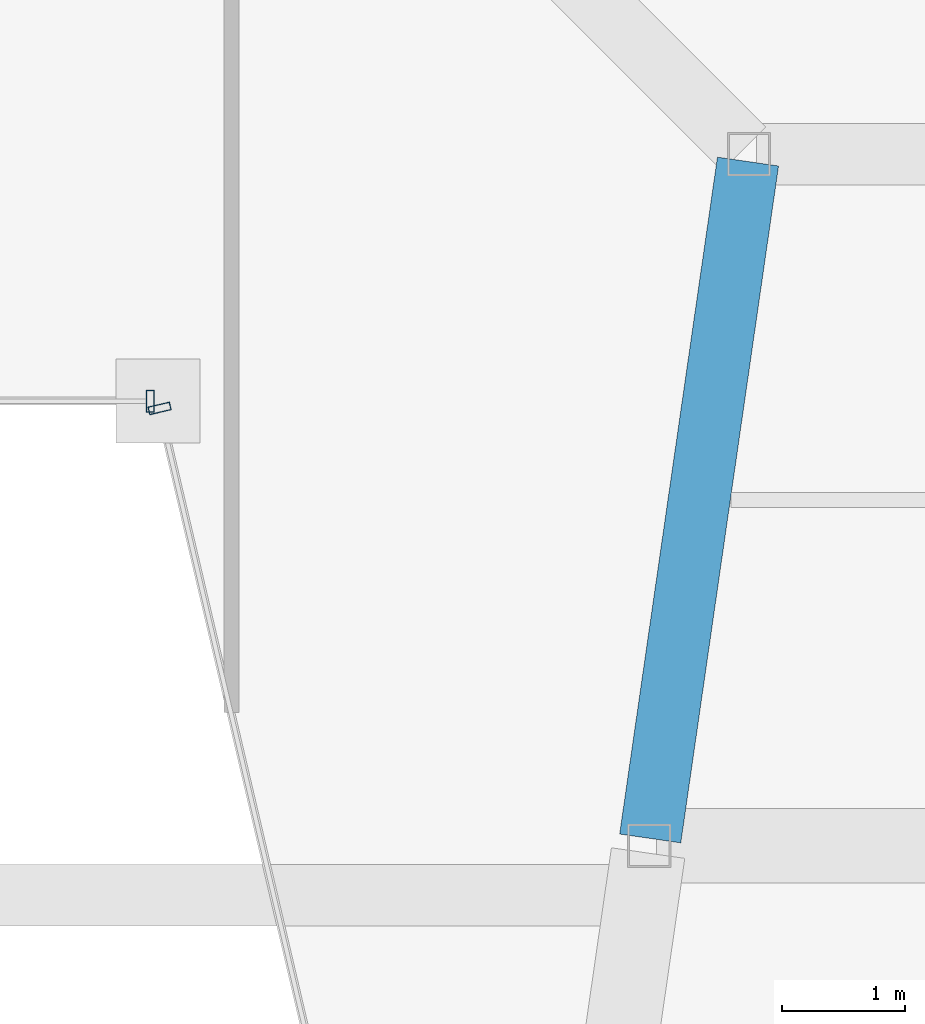
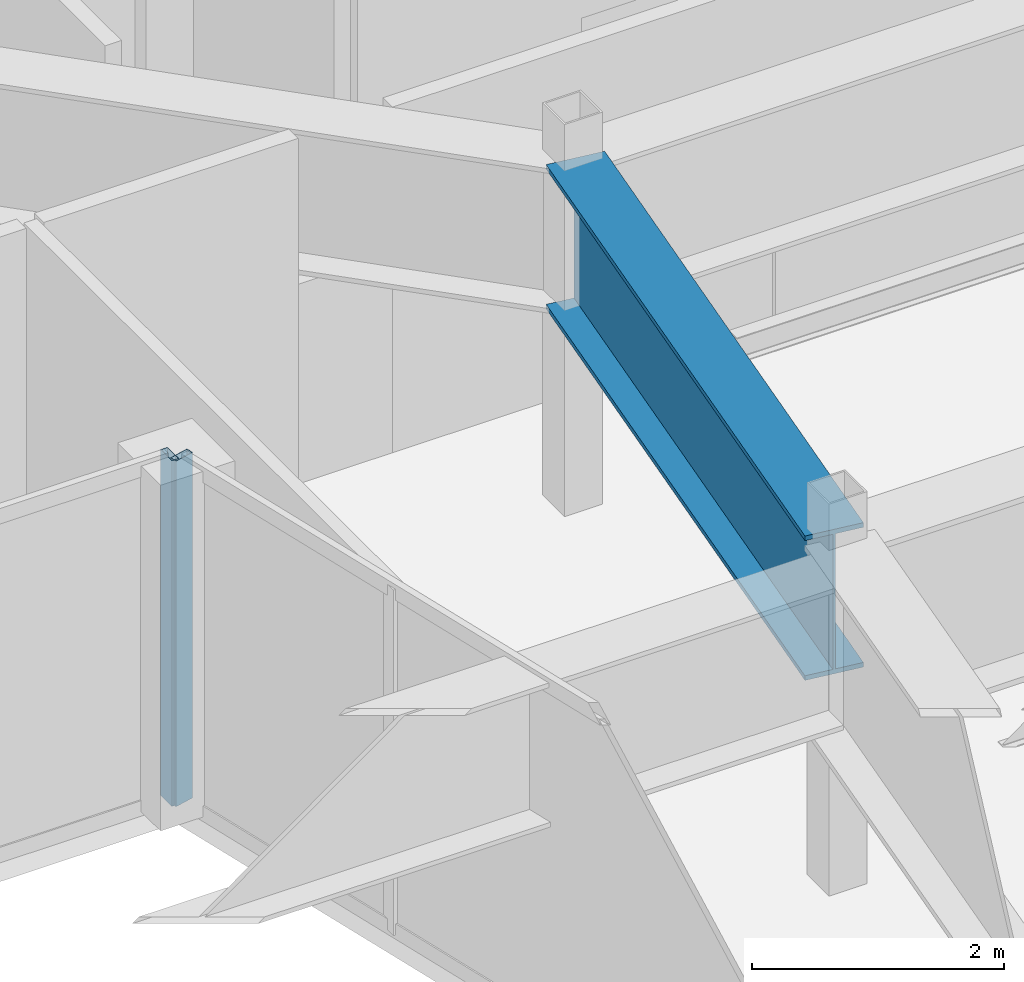
# One storey, part 13 of 30: 2 members, 1 beam, 2 elements without a shape of their own.
"""IFC4 building model written with IfcOpenShell, lengths in metres."""

from ifc_helpers import new_model, si_unit, direction, frame, origin, origin_2d, place, context, subcontext, project, spatial, hollow_rectangle, i_section, extrude, material, material_profile, profile_set, type_object, element, aggregate, save


model = new_model("IFC4")

# Units and contexts
model_context = context("Model", 3, precision=1e-05, world=origin(), true_north=direction((0.0, 1.0)))
body_context = subcontext(model_context, "Body", "Model", "MODEL_VIEW")
ifc_project = project(units=[si_unit("LENGTHUNIT", "METRE"), si_unit("AREAUNIT", "SQUARE_METRE"), si_unit("VOLUMEUNIT", "CUBIC_METRE"), si_unit("PLANEANGLEUNIT", "RADIAN"), si_unit("MASSUNIT", "GRAM", prefix="KILO")], contexts=[model_context])

# Site, building, storey
site_placement = place(None, origin())
site = spatial("IfcSite", under=ifc_project, at=site_placement, CompositionType="ELEMENT")
building_placement = place(site_placement, origin())
building = spatial("IfcBuilding", under=site, at=building_placement, Name="Saevonmaru Cultural Tower", CompositionType="ELEMENT")
storey_placement = place(building_placement, frame((0.0, 0.0, 272.39990234375)))
storey = spatial("IfcBuildingStorey", under=building, at=storey_placement, Name="L64", CompositionType="ELEMENT", Elevation=272.39990234375)

# Beam
ifc_material_1 = material(Name="Steel HSA600 (600 MPa)", Category="steel")
ifc_material_profile_1 = material_profile(ifc_material_1, i_section(OverallWidth=0.5, OverallDepth=1.39990234375, WebThickness=0.02392578125, FlangeThickness=0.044921875, at=origin_2d()), Name="PG-1400x500x24x45")
ifc_profile_set_1 = profile_set([ifc_material_profile_1], Name="Steel HSA600 (600 MPa)")
beam_type = type_object("IfcBeamType", Name="BM-TG-PG1400", PredefinedType="BEAM", material=ifc_profile_set_1)
beam_placement = place(storey_placement, frame((40.3916015625, 32.059326171875, 2.650146484375), z_axis=(0.142964121327, 0.989727871697, 0.0), x_axis=(-0.989727871697, 0.142964121327, 0.0)))
element("IfcBeam", 1, at=beam_placement, inside=storey, type_object=beam_type, Name="L64 East Atrium Girder 2", PredefinedType="BEAM", context=body_context, shape_type="SweptSolid", body=[
    extrude(i_section(OverallWidth=0.5, OverallDepth=1.39990234375, WebThickness=0.02392578125, FlangeThickness=0.044921875, at=origin_2d()), origin(), (0.0, 0.0, 1.0), 5.5380859375),
])

# Curtain wall, member
ifc_material_2 = material(Name="Satin Bronze Anodised Aluminium", Category="aluminium")
curtain_wall_type = type_object("IfcCurtainWallType", Name="CW-TYP-B", PredefinedType="NOTDEFINED", material=ifc_material_2)
curtain_wall_1_placement = place(storey_placement, origin())
curtain_wall_1 = element("IfcCurtainWall", 2, at=curtain_wall_1_placement, inside=storey, type_object=curtain_wall_type, Name="L64 Unitised Curtain Wall E4", PredefinedType="NOTDEFINED")
ifc_material_profile_2 = material_profile(ifc_material_2, hollow_rectangle(XDim=0.06494140625, YDim=0.179931640625, WallThickness=0.00390625, at=origin_2d()), Name="ALU-MULL-180x65x4")
ifc_profile_set_2 = profile_set([ifc_material_profile_2], Name="Satin Bronze Anodised Aluminium")
member_type = type_object("IfcMemberType", Name="ML-CW-180x65", PredefinedType="MULLION", material=ifc_profile_set_2)
member_1_placement = place(storey_placement, frame((36.344482421875, 35.60009765625, 0.0), z_axis=(0.0, 0.0, 1.0), x_axis=(1.0, 0.0, 0.0)))
member_1 = element("IfcMember", 3, at=member_1_placement, type_object=member_type, Name="CW-TW-L64-E4 mullion 2", PredefinedType="MULLION", context=body_context, shape_type="SweptSolid", body=[
    extrude(hollow_rectangle(XDim=0.06494140625, YDim=0.179931640625, WallThickness=0.00390625, at=origin_2d()), origin(), (0.0, 0.0, 1.0), 3.35009765625),
])
aggregate(curtain_wall_1, [member_1])

curtain_wall_2_placement = place(storey_placement, origin())
curtain_wall_2 = element("IfcCurtainWall", 4, at=curtain_wall_2_placement, inside=storey, type_object=curtain_wall_type, Name="L64 Unitised Curtain Wall E5", PredefinedType="NOTDEFINED")
member_2_placement = place(storey_placement, frame((36.418212890625, 35.54150390625, 0.0), z_axis=(0.0, 0.0, 1.0), x_axis=(0.228189509449, -0.973616735568, 0.0)))
member_2 = element("IfcMember", 5, at=member_2_placement, type_object=member_type, Name="CW-TW-L64-E5 mullion 1", PredefinedType="MULLION", context=body_context, shape_type="SweptSolid", body=[
    extrude(hollow_rectangle(XDim=0.06494140625, YDim=0.179931640625, WallThickness=0.00390625, at=origin_2d()), origin(), (0.0, 0.0, 1.0), 3.35009765625),
])
aggregate(curtain_wall_2, [member_2])

save(model, "model.ifc")
